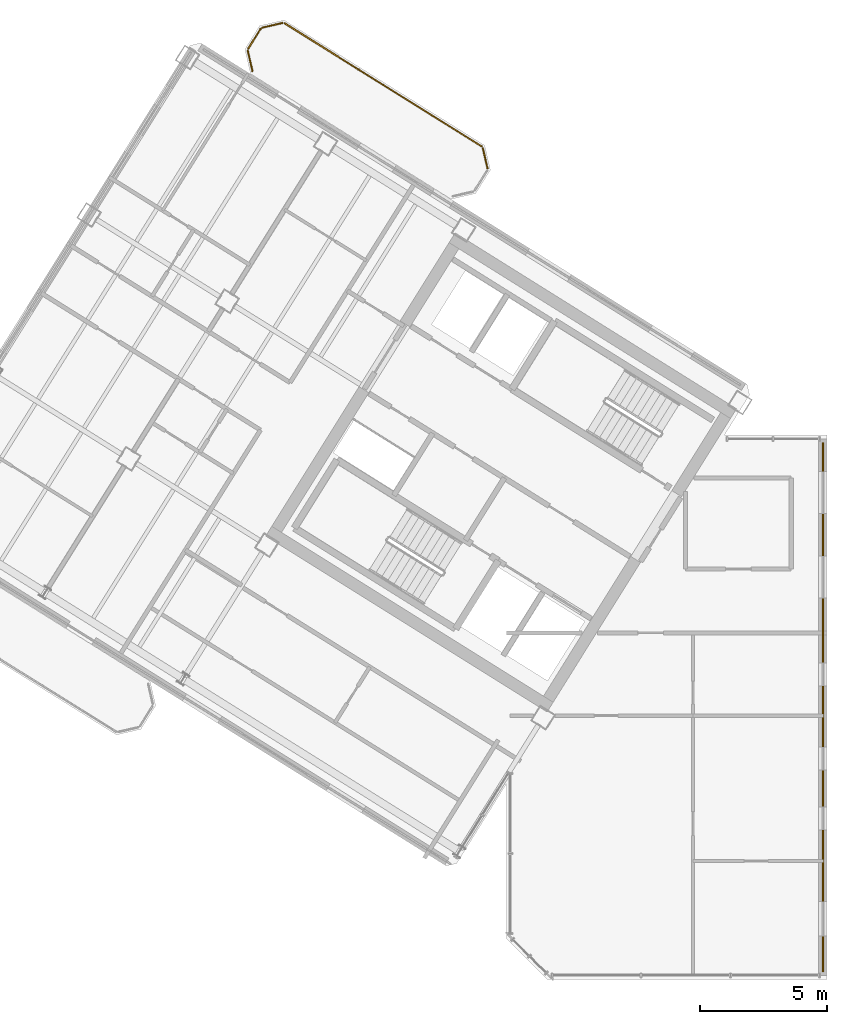
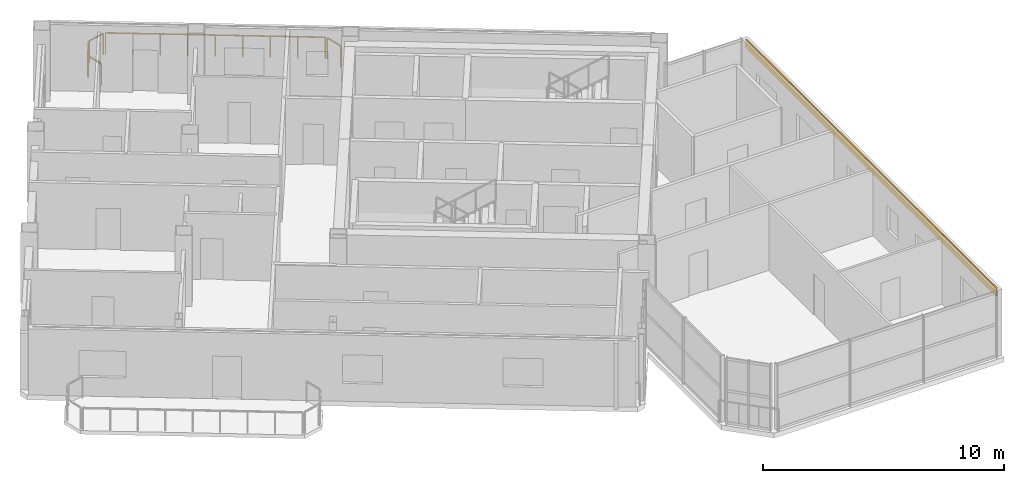
# One storey, part 13 of 13: 5 railings, 1 covering.
"""IFC4 building model written with IfcOpenShell, lengths in metres."""

from ifc_helpers import new_model, si_unit, direction, frame, origin, origin_2d, place, context, subcontext, project, spatial, rectangle, extrude, source, transform, mapped, material, layer, layer_set, type_object, element, save


model = new_model("IFC4")

# Units and contexts
model_context = context("Model", 3, precision=1e-05, world=origin(), true_north=direction((0.0, 1.0)))
body_context = subcontext(model_context, "Body", "Model", "MODEL_VIEW")
ifc_project = project(units=[si_unit("LENGTHUNIT", "METRE"), si_unit("AREAUNIT", "SQUARE_METRE"), si_unit("VOLUMEUNIT", "CUBIC_METRE"), si_unit("PLANEANGLEUNIT", "RADIAN"), si_unit("MASSUNIT", "GRAM", prefix="KILO")], contexts=[model_context])

# Site, building, storey
site_placement = place(None, origin())
site = spatial("IfcSite", under=ifc_project, at=site_placement, CompositionType="ELEMENT")
building_placement = place(site_placement, origin())
building = spatial("IfcBuilding", under=site, at=building_placement, Name="Tlacorven Tower", CompositionType="ELEMENT")
storey_placement = place(building_placement, frame((0.0, 0.0, 291.60009765625)))
storey = spatial("IfcBuildingStorey", under=building, at=storey_placement, Name="L74", CompositionType="ELEMENT", Elevation=291.60009765625)

# Railings
ifc_material_1 = material(Name="Aluminium and painted steel balustrade", Category="steel")
railing_type = type_object("IfcRailingType", Name="RL-BAL-1100", PredefinedType="BALUSTRADE", material=ifc_material_1)
shared_shape_1 = source(origin(), body_context, "Body", "SweptSolid", [
    extrude(rectangle(XDim=0.048095703125, YDim=0.048095703125, at=origin_2d()), frame((0.0, 0.0, 1.076171875), z_axis=(0.225058334816, -0.974345290916, 0.0), x_axis=(0.974345290916, 0.225058334816, 0.0)), (0.0, 0.0, 1.0), 0.80712890625),
    extrude(rectangle(XDim=0.0419921875, YDim=0.0419921875, at=origin_2d()), origin(), (0.0, 0.0, 1.0), 1.052001953125),
    extrude(rectangle(XDim=0.0419921875, YDim=0.0419921875, at=origin_2d()), frame((0.181640625, -0.786376953125, 0.0)), (0.0, 0.0, 1.0), 1.052001953125),
])
railing_1_placement = place(storey_placement, frame((30.6796875, 34.466064453125, 0.0)))
element("IfcRailing", 1, at=railing_1_placement, inside=storey, type_object=railing_type, Name="BAL-L74-W-IN Guard Railing 1", PredefinedType="BALUSTRADE", context=body_context, shape_type="MappedRepresentation", body=[
    mapped(shared_shape_1, transform((0.0, 0.0, 0.0), scale=1.0)),
])
shared_shape_2 = source(origin(), body_context, "Body", "SweptSolid", [
    extrude(rectangle(XDim=0.048095703125, YDim=0.048095703125, at=origin_2d()), frame((0.0, 0.0, 1.076171875), z_axis=(-0.225058334816, 0.974345290916, 0.0), x_axis=(-0.974345290916, -0.225058334816, 0.0)), (0.0, 0.0, 1.0), 0.80712890625),
    extrude(rectangle(XDim=0.0419921875, YDim=0.0419921875, at=origin_2d()), origin(), (0.0, 0.0, 1.0), 1.052001953125),
    extrude(rectangle(XDim=0.0419921875, YDim=0.0419921875, at=origin_2d()), frame((-0.181640625, 0.786376953125, 0.0)), (0.0, 0.0, 1.0), 1.052001953125),
])
railing_2_placement = place(storey_placement, frame((21.62451171875, 37.501708984375, 0.0)))
element("IfcRailing", 2, at=railing_2_placement, inside=storey, type_object=railing_type, Name="BAL-L74-W-IN Guard Railing 4", PredefinedType="BALUSTRADE", context=body_context, shape_type="MappedRepresentation", body=[
    mapped(shared_shape_2, transform((0.0, 0.0, 0.0), scale=1.0)),
])
shared_shape_3 = source(origin(), body_context, "Body", "SweptSolid", [
    extrude(rectangle(XDim=0.048095703125, YDim=0.048095703125, at=origin_2d()), frame((0.0, 0.0, 1.076171875), z_axis=(0.52987865805, 0.848073468364, 0.0), x_axis=(-0.848073468364, 0.52987865805, 0.0)), (0.0, 0.0, 1.0), 0.912353515625),
    extrude(rectangle(XDim=0.0419921875, YDim=0.0419921875, at=origin_2d()), origin(), (0.0, 0.0, 1.0), 1.052001953125),
    extrude(rectangle(XDim=0.0419921875, YDim=0.0419921875, at=origin_2d()), frame((0.4833984375, 0.773681640625, 0.0)), (0.0, 0.0, 1.0), 1.052001953125),
])
railing_3_placement = place(storey_placement, frame((21.4580078125, 38.379150390625, 0.0)))
element("IfcRailing", 3, at=railing_3_placement, inside=storey, type_object=railing_type, Name="BAL-L74-W-IN Guard Railing 5", PredefinedType="BALUSTRADE", context=body_context, shape_type="MappedRepresentation", body=[
    mapped(shared_shape_3, transform((0.0, 0.0, 0.0), scale=1.0)),
])

# Covering
ifc_material_2 = material(Name="Precast concrete C45/55", Category="concrete")
ifc_layer = layer(ifc_material_2, 0.06005859375)
ifc_layer_set = layer_set([ifc_layer], Name="Precast concrete C45/55")
covering_type = type_object("IfcCoveringType", Name="CV-CLD-TERC", PredefinedType="CLADDING", material=ifc_layer_set)
shared_shape_4 = source(origin(), body_context, "Body", "SweptSolid", [
    extrude(rectangle(XDim=20.780029296875, YDim=0.06005859375, at=origin_2d()), origin(), (0.0, 0.0, 1.0), 0.419921875),
])
covering_placement = place(storey_placement, frame((44.0400390625, 12.5, 2.929931640625), z_axis=(0.0, 0.0, 1.0), x_axis=(0.0, -1.0, 0.0)))
element("IfcCovering", 4, at=covering_placement, inside=storey, type_object=covering_type, Name="L74 Masonry-Frame Spandrel Cladding 1", PredefinedType="CLADDING", context=body_context, shape_type="MappedRepresentation", body=[
    mapped(shared_shape_4, transform((0.0, 0.0, 0.0), scale=1.0)),
])

# Railings
shared_shape_5 = source(origin(), body_context, "Body", "SweptSolid", [
    extrude(rectangle(XDim=0.048095703125, YDim=0.048095703125, at=origin_2d()), frame((0.0, 0.0, 1.076171875), z_axis=(0.974360606036, 0.224992020761, 0.0), x_axis=(-0.224992020761, 0.974360606036, 0.0)), (0.0, 0.0, 1.0), 0.807373046875),
    extrude(rectangle(XDim=0.0419921875, YDim=0.0419921875, at=origin_2d()), origin(), (0.0, 0.0, 1.0), 1.052001953125),
    extrude(rectangle(XDim=0.0419921875, YDim=0.0419921875, at=origin_2d()), frame((0.78662109375, 0.181640625, 0.0)), (0.0, 0.0, 1.0), 1.052001953125),
])
railing_4_placement = place(storey_placement, frame((22.0166015625, 39.206298828125, 0.0)))
element("IfcRailing", 5, at=railing_4_placement, inside=storey, type_object=railing_type, Name="BAL-L74-W-IN Guard Railing 6", PredefinedType="BALUSTRADE", context=body_context, shape_type="MappedRepresentation", body=[
    mapped(shared_shape_5, transform((0.0, 0.0, 0.0), scale=1.0)),
])
shared_shape_6 = source(origin(), body_context, "Body", "SweptSolid", [
    extrude(rectangle(XDim=0.048095703125, YDim=0.048095703125, at=origin_2d()), frame((0.0, 0.0, 1.076171875), z_axis=(0.848035911573, -0.529938763144, 0.0), x_axis=(0.529938763144, 0.848035911573, 0.0)), (0.0, 0.0, 1.0), 9.1171875),
    extrude(rectangle(XDim=0.0419921875, YDim=0.0419921875, at=origin_2d()), origin(), (0.0, 0.0, 1.0), 1.052001953125),
    extrude(rectangle(XDim=0.0419921875, YDim=0.0419921875, at=origin_2d()), frame((0.966552734375, -0.60400390625, 0.0)), (0.0, 0.0, 1.0), 1.052001953125),
    extrude(rectangle(XDim=0.0419921875, YDim=0.0419921875, at=origin_2d()), frame((1.932861328125, -1.2080078125, 0.0)), (0.0, 0.0, 1.0), 1.052001953125),
    extrude(rectangle(XDim=0.0419921875, YDim=0.0419921875, at=origin_2d()), frame((2.8994140625, -1.811767578125, 0.0)), (0.0, 0.0, 1.0), 1.052001953125),
    extrude(rectangle(XDim=0.0419921875, YDim=0.0419921875, at=origin_2d()), frame((3.86572265625, -2.415771484375, 0.0)), (0.0, 0.0, 1.0), 1.052001953125),
    extrude(rectangle(XDim=0.0419921875, YDim=0.0419921875, at=origin_2d()), frame((4.832275390625, -3.019775390625, 0.0)), (0.0, 0.0, 1.0), 1.052001953125),
    extrude(rectangle(XDim=0.0419921875, YDim=0.0419921875, at=origin_2d()), frame((5.798828125, -3.62353515625, 0.0)), (0.0, 0.0, 1.0), 1.052001953125),
    extrude(rectangle(XDim=0.0419921875, YDim=0.0419921875, at=origin_2d()), frame((6.76513671875, -4.2275390625, 0.0)), (0.0, 0.0, 1.0), 1.052001953125),
    extrude(rectangle(XDim=0.0419921875, YDim=0.0419921875, at=origin_2d()), frame((7.731689453125, -4.83154296875, 0.0)), (0.0, 0.0, 1.0), 1.052001953125),
])
railing_5_placement = place(storey_placement, frame((22.894287109375, 39.372802734375, 0.0)))
element("IfcRailing", 6, at=railing_5_placement, inside=storey, type_object=railing_type, Name="BAL-L74-W-IN Guard Railing 7", PredefinedType="BALUSTRADE", context=body_context, shape_type="MappedRepresentation", body=[
    mapped(shared_shape_6, transform((0.0, 0.0, 0.0), scale=1.0)),
])

save(model, "model.ifc")
